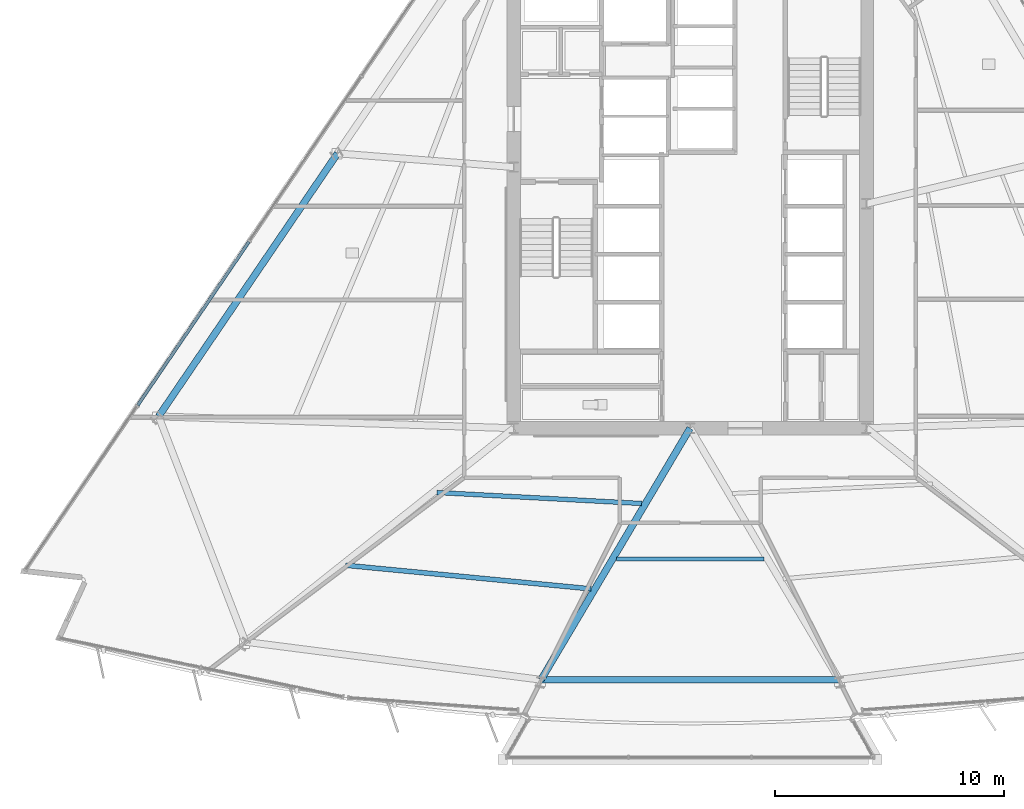
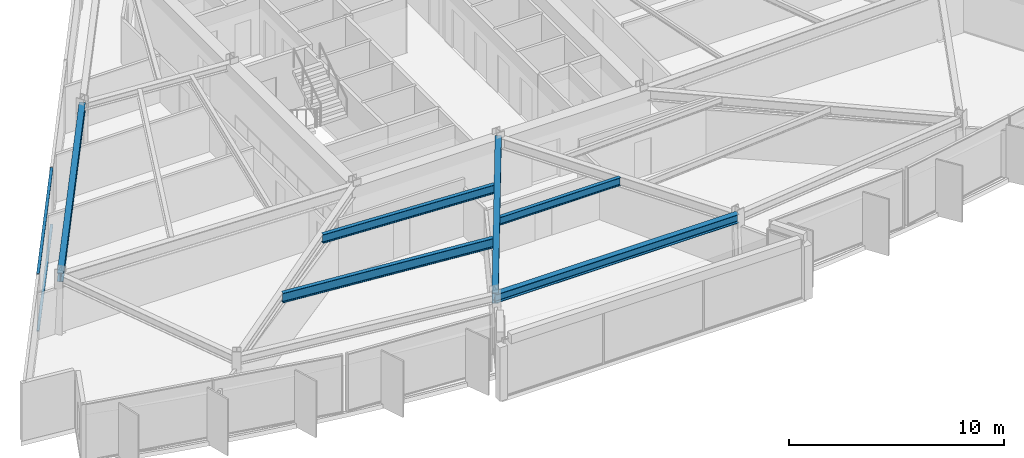
# One storey, part 3 of 16: 6 beams, 2 members, 1 element without a shape of its own.
"""IFC4 building model written with IfcOpenShell, lengths in metres."""

from ifc_helpers import new_model, si_unit, direction, frame, origin, origin_2d, place, context, subcontext, project, spatial, rectangle, i_section, extrude, material, material_profile, profile_set, type_object, element, aggregate, save


model = new_model("IFC4")

# Units and contexts
model_context = context("Model", 3, precision=1e-05, world=origin(), true_north=direction((0.0, 1.0)))
body_context = subcontext(model_context, "Body", "Model", "MODEL_VIEW")
ifc_project = project(units=[si_unit("LENGTHUNIT", "METRE"), si_unit("AREAUNIT", "SQUARE_METRE"), si_unit("VOLUMEUNIT", "CUBIC_METRE"), si_unit("PLANEANGLEUNIT", "RADIAN"), si_unit("MASSUNIT", "GRAM", prefix="KILO")], contexts=[model_context])

# Site, building, storey
site_placement = place(None, origin())
site = spatial("IfcSite", under=ifc_project, at=site_placement, CompositionType="ELEMENT")
building_placement = place(site_placement, origin())
building = spatial("IfcBuilding", under=site, at=building_placement, Name="Savorim Split Tower", CompositionType="ELEMENT")
storey_placement = place(building_placement, frame((0.0, 0.0, 69.60009765625)))
storey = spatial("IfcBuildingStorey", under=building, at=storey_placement, Name="L18", CompositionType="ELEMENT", Elevation=69.60009765625)

# Beams
ifc_material_1 = material(Name="Steel S355", Category="steel")
ifc_material_profile_1 = material_profile(ifc_material_1, i_section(OverallWidth=0.18994140625, OverallDepth=0.449951171875, WebThickness=0.009521484375, FlangeThickness=0.0146484375, FilletRadius=0.02099609375, at=origin_2d()), Name="IPE 450")
ifc_profile_set_1 = profile_set([ifc_material_profile_1], Name="Steel S355")
beam_type_1 = type_object("IfcBeamType", Name="BM-JST-IPE450", PredefinedType="JOIST", material=ifc_profile_set_1)
beam_1_placement = place(storey_placement, frame((-3.224365234375, -15.110595703125, 3.054931640625), z_axis=(1.0, 0.0, 0.0), x_axis=(0.0, 1.0, 0.0)))
element("IfcBeam", 1, at=beam_1_placement, inside=storey, type_object=beam_type_1, Name="L18 Secondary Floor Joist JS-03", PredefinedType="JOIST", context=body_context, shape_type="SweptSolid", body=[
    extrude(i_section(OverallWidth=0.18994140625, OverallDepth=0.449951171875, WebThickness=0.009521484375, FlangeThickness=0.0146484375, FilletRadius=0.02099609375, at=origin_2d()), origin(), (0.0, 0.0, 1.0), 6.44873046875),
])
ifc_material_profile_2 = material_profile(ifc_material_1, i_section(OverallWidth=0.199951171875, OverallDepth=0.5, WebThickness=0.01025390625, FlangeThickness=0.01611328125, FilletRadius=0.02099609375, at=origin_2d()), Name="IPE 500")
ifc_profile_set_2 = profile_set([ifc_material_profile_2], Name="Steel S355")
beam_type_2 = type_object("IfcBeamType", Name="BM-JST-IPE500", PredefinedType="JOIST", material=ifc_profile_set_2)
beam_2_placement = place(storey_placement, frame((-11.05615234375, -12.205810546875, 3.02978515625), z_axis=(0.998561624632, -0.05361605928, 0.0), x_axis=(0.05361605928, 0.998561624632, 0.0)))
element("IfcBeam", 2, at=beam_2_placement, inside=storey, type_object=beam_type_2, Name="L18 Secondary Floor Joist JS-02", PredefinedType="JOIST", context=body_context, shape_type="SweptSolid", body=[
    extrude(i_section(OverallWidth=0.199951171875, OverallDepth=0.5, WebThickness=0.01025390625, FlangeThickness=0.01611328125, FilletRadius=0.02099609375, at=origin_2d()), origin(), (0.0, 0.0, 1.0), 8.956787109375),
])
ifc_material_profile_3 = material_profile(ifc_material_1, i_section(OverallWidth=0.2099609375, OverallDepth=0.550048828125, WebThickness=0.010986328125, FlangeThickness=0.01708984375, FilletRadius=0.02392578125, at=origin_2d()), Name="IPE 550")
ifc_profile_set_3 = profile_set([ifc_material_profile_3], Name="Steel S355")
beam_type_3 = type_object("IfcBeamType", Name="BM-JST-IPE550", PredefinedType="JOIST", material=ifc_profile_set_3)
beam_3_placement = place(storey_placement, frame((-15.041259765625, -15.3828125, 3.0048828125), z_axis=(0.995410483177, -0.095697283039, 0.0), x_axis=(0.095697283039, 0.995410483177, 0.0)))
element("IfcBeam", 3, at=beam_3_placement, inside=storey, type_object=beam_type_3, Name="L18 Secondary Floor Joist JS-01", PredefinedType="JOIST", context=body_context, shape_type="SweptSolid", body=[
    extrude(i_section(OverallWidth=0.2099609375, OverallDepth=0.550048828125, WebThickness=0.010986328125, FlangeThickness=0.01708984375, FilletRadius=0.02392578125, at=origin_2d()), origin(), (0.0, 0.0, 1.0), 10.765869140625),
])
ifc_material_profile_4 = material_profile(ifc_material_1, i_section(OverallWidth=0.300048828125, OverallDepth=0.60009765625, WebThickness=0.015380859375, FlangeThickness=0.030029296875, FilletRadius=0.027099609375, at=origin_2d()), Name="HEB 600")
ifc_profile_set_4 = profile_set([ifc_material_profile_4], Name="Steel S355")
beam_type_4 = type_object("IfcBeamType", Name="BM-PRI-HEB600", PredefinedType="BEAM", material=ifc_profile_set_4)
beam_4_placement = place(storey_placement, frame((-6.508544921875, -20.3818359375, 2.97998046875), z_axis=(0.509844852296, 0.860266369555, 0.0), x_axis=(-0.860266369555, 0.509844852296, 0.0)))
element("IfcBeam", 4, at=beam_4_placement, inside=storey, type_object=beam_type_4, Name="L18 Primary Floor Girder RG-02", PredefinedType="BEAM", context=body_context, shape_type="SweptSolid", body=[
    extrude(i_section(OverallWidth=0.300048828125, OverallDepth=0.60009765625, WebThickness=0.015380859375, FlangeThickness=0.030029296875, FilletRadius=0.027099609375, at=origin_2d()), origin(), (0.0, 0.0, 1.0), 12.765625),
])
ifc_material_profile_5 = material_profile(ifc_material_1, i_section(OverallWidth=0.300048828125, OverallDepth=0.489990234375, WebThickness=0.011962890625, FlangeThickness=0.02294921875, FilletRadius=0.027099609375, at=origin_2d()), Name="HEA 500")
ifc_profile_set_5 = profile_set([ifc_material_profile_5], Name="Steel S355")
beam_type_5 = type_object("IfcBeamType", Name="BM-SPN-HEA500", PredefinedType="SPANDREL", material=ifc_profile_set_5)
beam_5_placement = place(storey_placement, frame((-6.508544921875, -20.3818359375, 3.034912109375), z_axis=(1.0, 0.0, 0.0), x_axis=(0.0, 1.0, 0.0)))
element("IfcBeam", 5, at=beam_5_placement, inside=storey, type_object=beam_type_5, Name="L18 Perimeter Spandrel Beam 2", PredefinedType="SPANDREL", context=body_context, shape_type="SweptSolid", body=[
    extrude(i_section(OverallWidth=0.300048828125, OverallDepth=0.489990234375, WebThickness=0.011962890625, FlangeThickness=0.02294921875, FilletRadius=0.027099609375, at=origin_2d()), origin(), (0.0, 0.0, 1.0), 13.01708984375),
])
beam_6_placement = place(storey_placement, frame((-15.392333984375, 2.599853515625, 3.034912109375), z_axis=(-0.562468681792, -0.826818590746, 0.0), x_axis=(0.826818590746, -0.562468681792, 0.0)))
element("IfcBeam", 6, at=beam_6_placement, inside=storey, type_object=beam_type_5, Name="L18 Perimeter Spandrel Beam 9", PredefinedType="SPANDREL", context=body_context, shape_type="SweptSolid", body=[
    extrude(i_section(OverallWidth=0.300048828125, OverallDepth=0.489990234375, WebThickness=0.011962890625, FlangeThickness=0.02294921875, FilletRadius=0.027099609375, at=origin_2d()), origin(), (0.0, 0.0, 1.0), 13.888427734375),
])

# Curtain wall, members
ifc_material_2 = material(Name="Dark Ceramic-Fritted Insulated Glass", Category="glass")
curtain_wall_type = type_object("IfcCurtainWallType", Name="CW-TWR-FRIT-A", PredefinedType="NOTDEFINED", material=ifc_material_2)
curtain_wall_placement = place(storey_placement, origin())
curtain_wall = element("IfcCurtainWall", 7, at=curtain_wall_placement, inside=storey, type_object=curtain_wall_type, Name="L18 Curtain Wall CW-L18-WEST", PredefinedType="NOTDEFINED")
ifc_material_3 = material(Name="Charcoal Anodised Aluminium", Category="aluminium")
ifc_material_profile_6 = material_profile(ifc_material_3, rectangle(XDim=0.139892578125, YDim=0.054931640625, at=origin_2d()), Name="ALU-T 140x55")
ifc_profile_set_6 = profile_set([ifc_material_profile_6], Name="Charcoal Anodised Aluminium")
member_type = type_object("IfcMemberType", Name="CWT-140x55", PredefinedType="USERDEFINED", material=ifc_profile_set_6)
member_1_placement = place(storey_placement, frame((-19.260009765625, -1.256103515625, 0.02734375), z_axis=(-0.562449926829, -0.826831349073, 0.0), x_axis=(0.826831349073, -0.562449926829, 0.0)))
member_1 = element("IfcMember", 8, at=member_1_placement, type_object=member_type, Name="CW-02 transom 3.1", ObjectType="TRANSOM", PredefinedType="USERDEFINED", context=body_context, shape_type="SweptSolid", body=[
    extrude(rectangle(XDim=0.139892578125, YDim=0.054931640625, at=origin_2d()), origin(), (0.0, 0.0, 1.0), 8.638671875),
])
member_2_placement = place(storey_placement, frame((-19.260009765625, -1.256103515625, 3.25244140625), z_axis=(-0.562449926829, -0.826831349073, 0.0), x_axis=(0.826831349073, -0.562449926829, 0.0)))
member_2 = element("IfcMember", 9, at=member_2_placement, type_object=member_type, Name="CW-02 transom 3.2", ObjectType="TRANSOM", PredefinedType="USERDEFINED", context=body_context, shape_type="SweptSolid", body=[
    extrude(rectangle(XDim=0.139892578125, YDim=0.054931640625, at=origin_2d()), origin(), (0.0, 0.0, 1.0), 8.638671875),
])
aggregate(curtain_wall, [member_1, member_2])

save(model, "model.ifc")
